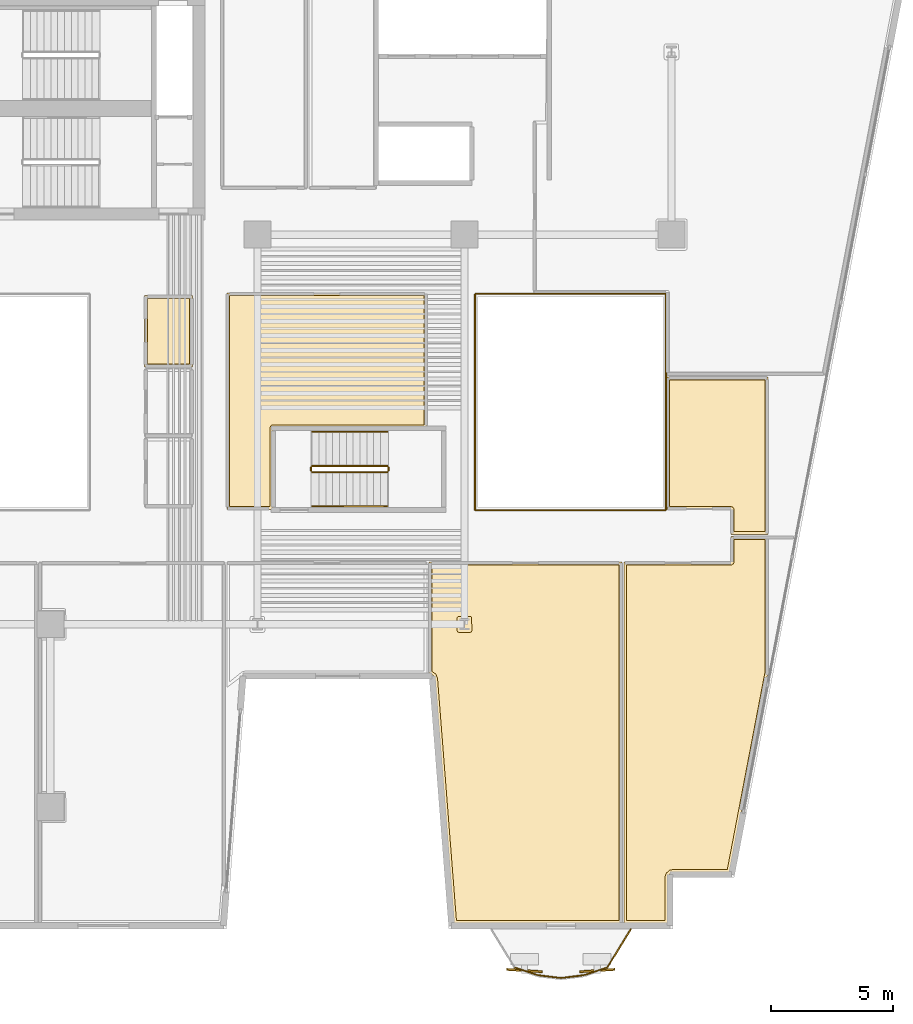
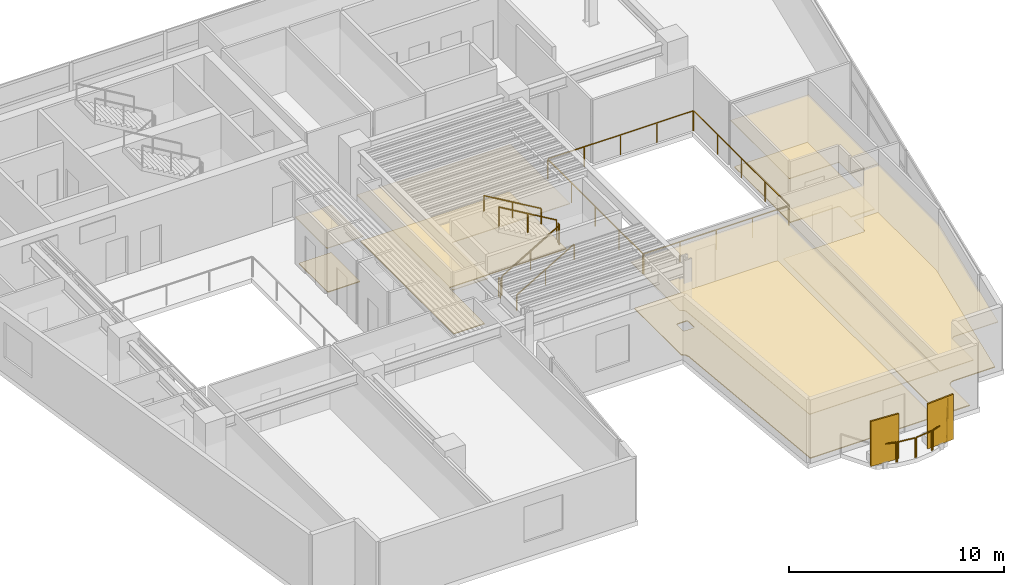
# One storey, part 12 of 14: 15 railings, 10 coverings, 2 shading devices.
"""IFC4 building model written with IfcOpenShell, lengths in metres."""

from ifc_helpers import new_model, si_unit, direction, frame, origin, origin_2d, place, context, subcontext, project, spatial, polyline, rectangle, outline, extrude, material, layer, layer_set, type_object, element, save


model = new_model("IFC4")

# Units and contexts
model_context = context("Model", 3, precision=1e-05, world=origin(), true_north=direction((0.0, 1.0)))
body_context = subcontext(model_context, "Body", "Model", "MODEL_VIEW")
ifc_project = project(units=[si_unit("LENGTHUNIT", "METRE"), si_unit("AREAUNIT", "SQUARE_METRE"), si_unit("VOLUMEUNIT", "CUBIC_METRE"), si_unit("PLANEANGLEUNIT", "RADIAN"), si_unit("MASSUNIT", "GRAM", prefix="KILO")], contexts=[model_context])

# Site, building, storey
site_placement = place(None, origin())
site = spatial("IfcSite", under=ifc_project, at=site_placement, CompositionType="ELEMENT")
building_placement = place(site_placement, origin())
building = spatial("IfcBuilding", under=site, at=building_placement, Name="Caeloran Harvest Quay", CompositionType="ELEMENT")
storey_placement = place(building_placement, frame((0.0, 0.0, 174.60009765625)))
storey = spatial("IfcBuildingStorey", under=building, at=storey_placement, Name="L41", CompositionType="ELEMENT", Elevation=174.60009765625)

# Coverings
ifc_material_1 = material(Name="Perforated Mineral-Fibre Acoustic Ceiling Tile", Category="ceiling")
ifc_layer_1 = layer(ifc_material_1, 0.0400390625, Name="Perforated Mineral-Fibre Acoustic Ceiling Tile")
ifc_layer_set_1 = layer_set([ifc_layer_1], Name="Perforated Mineral-Fibre Acoustic Ceiling Tile")
covering_type_1 = type_object("IfcCoveringType", Name="COV-CEILING-ACOUSTIC", PredefinedType="CEILING", material=ifc_layer_set_1)
covering_1_placement = place(storey_placement, frame((0.0, 0.0, 2.599853515625)))
element("IfcCovering", 1, at=covering_1_placement, inside=storey, type_object=covering_type_1, Name="L41 Male Washroom WC Acoustic Ceiling", PredefinedType="CEILING", context=body_context, shape_type="SweptSolid", body=[
    extrude(outline(polyline([(22.840087890625, 25.56005859375), (20.8701171875, 25.56005859375), (20.8701171875, 28.489990234375), (22.840087890625, 28.489990234375), (22.840087890625, 25.56005859375)])), origin(), (0.0, 0.0, 1.0), 0.0400390625),
])
covering_2_placement = place(storey_placement, frame((0.0, 0.0, 2.599853515625)))
element("IfcCovering", 2, at=covering_2_placement, inside=storey, type_object=covering_type_1, Name="Culinary Product Studio Acoustic Ceiling", PredefinedType="CEILING", context=body_context, shape_type="SweptSolid", body=[
    extrude(outline(polyline([(40.4599609375, 2.719970703125), (33.55859375, 2.719970703125), (32.7744140625, 12.76611328125), (32.759521484375, 12.830810546875), (32.712158203125, 12.90380859375), (32.5400390625, 13.01171875), (32.5400390625, 17.56005859375), (40.4599609375, 17.56005859375), (40.4599609375, 2.719970703125)])), origin(), (0.0, 0.0, 1.0), 0.0400390625),
])
covering_3_placement = place(storey_placement, frame((0.0, 0.0, 2.599853515625)))
element("IfcCovering", 3, at=covering_3_placement, inside=storey, type_object=covering_type_1, Name="Investor Dining Salon Lounge Acoustic Ceiling", PredefinedType="CEILING", context=body_context, shape_type="SweptSolid", body=[
    extrude(outline(polyline([(44.93994140625, 17.56005859375), (44.93994140625, 18.610107421875), (46.4599609375, 18.610107421875), (46.4599609375, 13.0458984375), (44.888916015625, 4.820068359375), (42.571044921875, 4.820068359375), (42.46630859375, 4.7939453125), (42.38720703125, 4.72216796875), (42.35107421875, 4.62158203125), (42.35009765625, 2.719970703125), (40.5400390625, 2.719970703125), (40.5400390625, 17.56005859375), (44.93994140625, 17.56005859375)])), origin(), (0.0, 0.0, 1.0), 0.0400390625),
])
covering_4_placement = place(storey_placement, frame((0.0, 0.0, 2.599853515625)))
element("IfcCovering", 4, at=covering_4_placement, inside=storey, type_object=covering_type_1, Name="Summit Boardroom Acoustic Ceiling", PredefinedType="CEILING", context=body_context, shape_type="SweptSolid", body=[
    extrude(outline(polyline([(44.93994140625, 19.7099609375), (42.2900390625, 19.7099609375), (42.2900390625, 25.159912109375), (46.4599609375, 25.159912109375), (46.4599609375, 18.68994140625), (44.93994140625, 18.68994140625), (44.93994140625, 19.7099609375)])), origin(), (0.0, 0.0, 1.0), 0.0400390625),
])
covering_5_placement = place(storey_placement, frame((0.0, 0.0, 2.599853515625)))
element("IfcCovering", 5, at=covering_5_placement, inside=storey, type_object=covering_type_1, Name="Hospitality Tasting Dining Kitchen 9 Acoustic Ceiling", PredefinedType="CEILING", context=body_context, shape_type="SweptSolid", body=[
    extrude(outline(polyline([(32.4599609375, 28.610107421875), (32.4599609375, 23.06005859375), (26.139892578125, 23.06005859375), (26.139892578125, 19.7099609375), (24.239990234375, 19.7099609375), (24.239990234375, 28.610107421875), (32.4599609375, 28.610107421875)])), origin(), (0.0, 0.0, 1.0), 0.0400390625),
])
ifc_material_2 = material(Name="Calcium-Sulphate Raised Access Floor and Terrazzo Finish", Category="flooring")
ifc_layer_2 = layer(ifc_material_2, 0.050048828125, Name="Calcium-Sulphate Raised Access Floor and Terrazzo Finish")
ifc_layer_set_2 = layer_set([ifc_layer_2], Name="Calcium-Sulphate Raised Access Floor and Terrazzo Finish")
covering_type_2 = type_object("IfcCoveringType", Name="COV-FLOOR-RAISED", PredefinedType="FLOORING", material=ifc_layer_set_2)
covering_6_placement = place(storey_placement, origin())
element("IfcCovering", 6, at=covering_6_placement, inside=storey, type_object=covering_type_2, Name="L41 Male Washroom WC Raised Finish Flooring", PredefinedType="FLOORING", context=body_context, shape_type="SweptSolid", body=[
    extrude(outline(polyline([(22.719970703125, 25.679931640625), (20.989990234375, 25.679931640625), (20.989990234375, 28.3701171875), (22.719970703125, 28.3701171875), (22.719970703125, 25.679931640625)])), origin(), (0.0, 0.0, 1.0), 0.0498046875),
])
covering_7_placement = place(storey_placement, origin())
element("IfcCovering", 7, at=covering_7_placement, inside=storey, type_object=covering_type_2, Name="Culinary Product Studio Raised Finish Flooring", PredefinedType="FLOORING", context=body_context, shape_type="SweptSolid", body=[
    extrude(outline(polyline([(32.659912109375, 13.0732421875), (32.659912109375, 17.43994140625), (40.340087890625, 17.43994140625), (40.340087890625, 2.840087890625), (33.66943359375, 2.840087890625), (32.89404296875, 12.776611328125), (32.82275390625, 12.959228515625), (32.659912109375, 13.0732421875)]), holes=[polyline([(34.306884765625, 14.748046875), (34.288818359375, 15.302734375), (34.23486328125, 15.33154296875), (33.77294921875, 15.33203125), (33.71630859375, 15.30859375), (33.693115234375, 15.251953125), (33.693115234375, 14.748046875), (33.71630859375, 14.69140625), (33.77294921875, 14.66796875), (34.22705078125, 14.66796875), (34.28369140625, 14.69140625), (34.306884765625, 14.748046875)])]), origin(), (0.0, 0.0, 1.0), 0.0498046875),
])
covering_8_placement = place(storey_placement, origin())
element("IfcCovering", 8, at=covering_8_placement, inside=storey, type_object=covering_type_2, Name="Investor Dining Salon Lounge Raised Finish Flooring", PredefinedType="FLOORING", context=body_context, shape_type="SweptSolid", body=[
    extrude(outline(polyline([(44.97802734375, 17.443603515625), (45.037353515625, 17.4833984375), (45.059814453125, 17.543212890625), (45.06005859375, 18.489990234375), (46.340087890625, 18.489990234375), (46.340087890625, 13.05712890625), (44.789794921875, 4.93994140625), (42.570068359375, 4.93994140625), (42.4130859375, 4.901611328125), (42.28515625, 4.78564453125), (42.231201171875, 4.62939453125), (42.22998046875, 2.840087890625), (40.659912109375, 2.840087890625), (40.659912109375, 17.43994140625), (44.97802734375, 17.443603515625)])), origin(), (0.0, 0.0, 1.0), 0.0498046875),
])
covering_9_placement = place(storey_placement, origin())
element("IfcCovering", 9, at=covering_9_placement, inside=storey, type_object=covering_type_2, Name="Summit Boardroom Raised Finish Flooring", PredefinedType="FLOORING", context=body_context, shape_type="SweptSolid", body=[
    extrude(outline(polyline([(45.056396484375, 19.748046875), (45.0166015625, 19.807373046875), (44.953857421875, 19.829833984375), (42.409912109375, 19.830078125), (42.409912109375, 25.0400390625), (46.340087890625, 25.0400390625), (46.340087890625, 18.81005859375), (45.06005859375, 18.81005859375), (45.056396484375, 19.748046875)])), origin(), (0.0, 0.0, 1.0), 0.0498046875),
])
covering_10_placement = place(storey_placement, origin())
element("IfcCovering", 10, at=covering_10_placement, inside=storey, type_object=covering_type_2, Name="Hospitality Tasting Dining Kitchen 9 Raised Finish Flooring", PredefinedType="FLOORING", context=body_context, shape_type="SweptSolid", body=[
    extrude(outline(polyline([(32.340087890625, 28.489990234375), (32.340087890625, 23.179931640625), (26.0693359375, 23.173828125), (26.02001953125, 23.10009765625), (26.02001953125, 19.830078125), (24.360107421875, 19.830078125), (24.360107421875, 28.489990234375), (32.340087890625, 28.489990234375)])), origin(), (0.0, 0.0, 1.0), 0.0498046875),
])

# Railings
ifc_material_3 = material(Name="Powder-Coated Steel Post and Laminated Glass Guardrail", Category="steel")
ifc_layer_3 = layer(ifc_material_3, 0.06005859375, Name="Powder-Coated Steel Post and Laminated Glass Guardrail")
ifc_layer_set_3 = layer_set([ifc_layer_3], Name="Powder-Coated Steel Post and Laminated Glass Guardrail")
railing_type_1 = type_object("IfcRailingType", Name="GUARD-ATRIUM-1150", PredefinedType="GUARDRAIL", material=ifc_layer_set_3)
railing_1_placement = place(storey_placement, frame((34.4619140625, 19.679931640625, 0.0)))
element("IfcRailing", 11, at=railing_1_placement, inside=storey, type_object=railing_type_1, Name="L41 East Botanical Lightwell Guardrail Seg 1", PredefinedType="GUARDRAIL", context=body_context, shape_type="SweptSolid", body=[
    extrude(rectangle(XDim=0.048095703125, YDim=0.048095703125, at=origin_2d()), frame((0.0, 0.0, 1.1259765625), z_axis=(1.0, 0.0, 0.0), x_axis=(0.0, 1.0, 0.0)), (0.0, 0.0, 1.0), 7.776123046875),
    extrude(rectangle(XDim=0.0419921875, YDim=0.0419921875, at=origin_2d()), origin(), (0.0, 0.0, 1.0), 1.101806640625),
    extrude(rectangle(XDim=0.0419921875, YDim=0.0419921875, at=origin_2d()), frame((1.944091796875, 0.0, 0.0)), (0.0, 0.0, 1.0), 1.101806640625),
    extrude(rectangle(XDim=0.0419921875, YDim=0.0419921875, at=origin_2d()), frame((3.88818359375, 0.0, 0.0)), (0.0, 0.0, 1.0), 1.101806640625),
    extrude(rectangle(XDim=0.0419921875, YDim=0.0419921875, at=origin_2d()), frame((5.83203125, 0.0, 0.0)), (0.0, 0.0, 1.0), 1.101806640625),
    extrude(rectangle(XDim=0.0419921875, YDim=0.0419921875, at=origin_2d()), frame((7.776123046875, 0.0, 0.0)), (0.0, 0.0, 1.0), 1.101806640625),
])
railing_2_placement = place(storey_placement, frame((42.27001953125, 19.7119140625, 0.0)))
element("IfcRailing", 12, at=railing_2_placement, inside=storey, type_object=railing_type_1, Name="L41 East Botanical Lightwell Guardrail Seg 2", PredefinedType="GUARDRAIL", context=body_context, shape_type="SweptSolid", body=[
    extrude(rectangle(XDim=0.048095703125, YDim=0.048095703125, at=origin_2d()), frame((0.0, 0.0, 1.1259765625), z_axis=(0.0, 1.0, 0.0), x_axis=(-1.0, 0.0, 0.0)), (0.0, 0.0, 1.0), 8.826171875),
    extrude(rectangle(XDim=0.0419921875, YDim=0.0419921875, at=origin_2d()), origin(), (0.0, 0.0, 1.0), 1.101806640625),
    extrude(rectangle(XDim=0.0419921875, YDim=0.0419921875, at=origin_2d()), frame((0.0, 2.20654296875, 0.0)), (0.0, 0.0, 1.0), 1.101806640625),
    extrude(rectangle(XDim=0.0419921875, YDim=0.0419921875, at=origin_2d()), frame((0.0, 4.4130859375, 0.0)), (0.0, 0.0, 1.0), 1.101806640625),
    extrude(rectangle(XDim=0.0419921875, YDim=0.0419921875, at=origin_2d()), frame((0.0, 6.61962890625, 0.0)), (0.0, 0.0, 1.0), 1.101806640625),
    extrude(rectangle(XDim=0.0419921875, YDim=0.0419921875, at=origin_2d()), frame((0.0, 8.826171875, 0.0)), (0.0, 0.0, 1.0), 1.101806640625),
])
railing_3_placement = place(storey_placement, frame((42.238037109375, 28.570068359375, 0.0)))
element("IfcRailing", 13, at=railing_3_placement, inside=storey, type_object=railing_type_1, Name="L41 East Botanical Lightwell Guardrail Seg 3", PredefinedType="GUARDRAIL", context=body_context, shape_type="SweptSolid", body=[
    extrude(rectangle(XDim=0.048095703125, YDim=0.048095703125, at=origin_2d()), frame((0.0, 0.0, 1.1259765625), z_axis=(-1.0, 0.0, 0.0), x_axis=(0.0, -1.0, 0.0)), (0.0, 0.0, 1.0), 7.776123046875),
    extrude(rectangle(XDim=0.0419921875, YDim=0.0419921875, at=origin_2d()), origin(), (0.0, 0.0, 1.0), 1.101806640625),
    extrude(rectangle(XDim=0.0419921875, YDim=0.0419921875, at=origin_2d()), frame((-1.944091796875, 0.0, 0.0)), (0.0, 0.0, 1.0), 1.101806640625),
    extrude(rectangle(XDim=0.0419921875, YDim=0.0419921875, at=origin_2d()), frame((-3.88818359375, 0.0, 0.0)), (0.0, 0.0, 1.0), 1.101806640625),
    extrude(rectangle(XDim=0.0419921875, YDim=0.0419921875, at=origin_2d()), frame((-5.83203125, 0.0, 0.0)), (0.0, 0.0, 1.0), 1.101806640625),
    extrude(rectangle(XDim=0.0419921875, YDim=0.0419921875, at=origin_2d()), frame((-7.776123046875, 0.0, 0.0)), (0.0, 0.0, 1.0), 1.101806640625),
])
railing_4_placement = place(storey_placement, frame((34.429931640625, 28.5380859375, 0.0)))
element("IfcRailing", 14, at=railing_4_placement, inside=storey, type_object=railing_type_1, Name="L41 East Botanical Lightwell Guardrail Seg 4", PredefinedType="GUARDRAIL", context=body_context, shape_type="SweptSolid", body=[
    extrude(rectangle(XDim=0.048095703125, YDim=0.048095703125, at=origin_2d()), frame((0.0, 0.0, 1.1259765625), z_axis=(0.0, -1.0, 0.0), x_axis=(1.0, 0.0, 0.0)), (0.0, 0.0, 1.0), 8.826171875),
    extrude(rectangle(XDim=0.0419921875, YDim=0.0419921875, at=origin_2d()), origin(), (0.0, 0.0, 1.0), 1.101806640625),
    extrude(rectangle(XDim=0.0419921875, YDim=0.0419921875, at=origin_2d()), frame((0.0, -2.20654296875, 0.0)), (0.0, 0.0, 1.0), 1.101806640625),
    extrude(rectangle(XDim=0.0419921875, YDim=0.0419921875, at=origin_2d()), frame((0.0, -4.4130859375, 0.0)), (0.0, 0.0, 1.0), 1.101806640625),
    extrude(rectangle(XDim=0.0419921875, YDim=0.0419921875, at=origin_2d()), frame((0.0, -6.61962890625, 0.0)), (0.0, 0.0, 1.0), 1.101806640625),
    extrude(rectangle(XDim=0.0419921875, YDim=0.0419921875, at=origin_2d()), frame((0.0, -8.826171875, 0.0)), (0.0, 0.0, 1.0), 1.101806640625),
])
ifc_material_4 = material(Name="Laminated Safety Glass and Stainless Steel 316", Category="steel")
ifc_layer_4 = layer(ifc_material_4, 0.06005859375, Name="Laminated Safety Glass and Stainless Steel 316")
ifc_layer_set_4 = layer_set([ifc_layer_4], Name="Laminated Safety Glass and Stainless Steel 316")
railing_type_2 = type_object("IfcRailingType", Name="GUARD-BALUSTRADE-1150", PredefinedType="BALUSTRADE", material=ifc_layer_set_4)
railing_5_placement = place(storey_placement, frame((40.825927734375, 2.47998046875, 0.0)))
element("IfcRailing", 15, at=railing_5_placement, inside=storey, type_object=railing_type_2, Name="L41 Planted Balcony Perimeter Balustrade Guard Seg 1", PredefinedType="BALUSTRADE", context=body_context, shape_type="SweptSolid", body=[
    extrude(rectangle(XDim=0.048095703125, YDim=0.048095703125, at=origin_2d()), frame((0.0, 0.0, 1.1259765625), z_axis=(-0.522460171992, -0.852663690257, 0.0), x_axis=(0.852663690257, -0.522460171992, 0.0)), (0.0, 0.0, 1.0), 1.798095703125),
    extrude(rectangle(XDim=0.0419921875, YDim=0.0419921875, at=origin_2d()), origin(), (0.0, 0.0, 1.0), 1.101806640625),
    extrude(rectangle(XDim=0.0419921875, YDim=0.0419921875, at=origin_2d()), frame((-0.939453125, -1.533203125, 0.0)), (0.0, 0.0, 1.0), 1.101806640625),
])
railing_6_placement = place(storey_placement, frame((39.839599609375, 0.9091796875, 0.0)))
element("IfcRailing", 16, at=railing_6_placement, inside=storey, type_object=railing_type_2, Name="L41 Planted Balcony Perimeter Balustrade Guard Seg 2", PredefinedType="BALUSTRADE", context=body_context, shape_type="SweptSolid", body=[
    extrude(rectangle(XDim=0.048095703125, YDim=0.048095703125, at=origin_2d()), frame((0.0, 0.0, 1.1259765625), z_axis=(-0.947644813733, -0.31932633309, 0.0), x_axis=(0.31932633309, -0.947644813733, 0.0)), (0.0, 0.0, 1.0), 0.945068359375),
    extrude(rectangle(XDim=0.0419921875, YDim=0.0419921875, at=origin_2d()), origin(), (0.0, 0.0, 1.0), 1.101806640625),
    extrude(rectangle(XDim=0.0419921875, YDim=0.0419921875, at=origin_2d()), frame((-0.8955078125, -0.3017578125, 0.0)), (0.0, 0.0, 1.0), 1.101806640625),
])
railing_7_placement = place(storey_placement, frame((38.8818359375, 0.59326171875, 0.0)))
element("IfcRailing", 17, at=railing_7_placement, inside=storey, type_object=railing_type_2, Name="L41 Planted Balcony Perimeter Balustrade Guard Seg 3", PredefinedType="BALUSTRADE", context=body_context, shape_type="SweptSolid", body=[
    extrude(rectangle(XDim=0.048095703125, YDim=0.048095703125, at=origin_2d()), frame((0.0, 0.0, 1.1259765625), z_axis=(-0.992444026778, -0.122698222129, 0.0), x_axis=(0.122698222129, -0.992444026778, 0.0)), (0.0, 0.0, 1.0), 0.8994140625),
    extrude(rectangle(XDim=0.0419921875, YDim=0.0419921875, at=origin_2d()), origin(), (0.0, 0.0, 1.0), 1.101806640625),
    extrude(rectangle(XDim=0.0419921875, YDim=0.0419921875, at=origin_2d()), frame((-0.892578125, -0.1103515625, 0.0)), (0.0, 0.0, 1.0), 1.101806640625),
])
railing_8_placement = place(storey_placement, frame((37.92578125, 0.48291015625, 0.0)))
element("IfcRailing", 18, at=railing_8_placement, inside=storey, type_object=railing_type_2, Name="L41 Planted Balcony Perimeter Balustrade Guard Seg 4", PredefinedType="BALUSTRADE", context=body_context, shape_type="SweptSolid", body=[
    extrude(rectangle(XDim=0.048095703125, YDim=0.048095703125, at=origin_2d()), frame((0.0, 0.0, 1.1259765625), z_axis=(-0.992444026778, 0.122698222129, 0.0), x_axis=(-0.122698222129, -0.992444026778, 0.0)), (0.0, 0.0, 1.0), 0.8994140625),
    extrude(rectangle(XDim=0.0419921875, YDim=0.0419921875, at=origin_2d()), origin(), (0.0, 0.0, 1.0), 1.101806640625),
    extrude(rectangle(XDim=0.0419921875, YDim=0.0419921875, at=origin_2d()), frame((-0.892578125, 0.1103515625, 0.0)), (0.0, 0.0, 1.0), 1.101806640625),
])
railing_9_placement = place(storey_placement, frame((36.970947265625, 0.607421875, 0.0)))
element("IfcRailing", 19, at=railing_9_placement, inside=storey, type_object=railing_type_2, Name="L41 Planted Balcony Perimeter Balustrade Guard Seg 5", PredefinedType="BALUSTRADE", context=body_context, shape_type="SweptSolid", body=[
    extrude(rectangle(XDim=0.048095703125, YDim=0.048095703125, at=origin_2d()), frame((0.0, 0.0, 1.1259765625), z_axis=(-0.947644813733, 0.31932633309, 0.0), x_axis=(-0.31932633309, -0.947644813733, 0.0)), (0.0, 0.0, 1.0), 0.945068359375),
    extrude(rectangle(XDim=0.0419921875, YDim=0.0419921875, at=origin_2d()), origin(), (0.0, 0.0, 1.0), 1.101806640625),
    extrude(rectangle(XDim=0.0419921875, YDim=0.0419921875, at=origin_2d()), frame((-0.8955078125, 0.3017578125, 0.0)), (0.0, 0.0, 1.0), 1.101806640625),
])

# Shading devices
ifc_material_5 = material(Name="3003-H14 Perforated Powder-Coated Aluminium", Category="aluminium")
shading_device_type = type_object("IfcShadingDeviceType", Name="SHADE-SCREEN-FOLDED", PredefinedType="USERDEFINED", material=ifc_material_5)
for number, where, z_axis, x_axis, name in (
    (20, (39.44921875, 0.78515625, 0.07470703125), (0.0, 0.0, 1.0), (0.997801468292, 0.0662739004, 0.0), "L41 Folded Facade Breathing Screen 1"),
    (21, (36.4658203125, 0.78515625, 0.07470703125), (0.0, 0.0, 1.0), (0.997801468292, -0.0662739004, 0.0), "L41 Folded Facade Breathing Screen 2"),
):
    element("IfcShadingDevice", number, at=place(storey_placement, frame(where, z_axis=z_axis, x_axis=x_axis)), inside=storey, type_object=shading_device_type, Name=name, ObjectType="SCREEN", PredefinedType="USERDEFINED", context=body_context, shape_type="SweptSolid", body=[
        extrude(rectangle(XDim=1.449951171875, YDim=0.080078125, at=origin_2d()), origin(), (0.0, 0.0, 1.0), 2.550048828125),
    ])

# Railings
ifc_material_6 = material(Name="Painted Steel Baluster and Top-Rail Stair Guard", Category="steel")
ifc_layer_5 = layer(ifc_material_6, 0.050048828125, Name="Painted Steel Baluster and Top-Rail Stair Guard")
ifc_layer_set_5 = layer_set([ifc_layer_5], Name="Painted Steel Baluster and Top-Rail Stair Guard")
railing_type_3 = type_object("IfcRailingType", Name="STAIR-GUARD-1100", PredefinedType="GUARDRAIL", material=ifc_layer_set_5)
railing_10_placement = place(storey_placement, frame((27.75, 21.25, 0.16455078125)))
element("IfcRailing", 22, at=railing_10_placement, inside=storey, type_object=railing_type_3, Name="L41 ST-W1 stair guard 1", PredefinedType="GUARDRAIL", context=body_context, shape_type="SweptSolid", body=[
    extrude(rectangle(XDim=0.048095703125, YDim=0.048095703125, at=origin_2d()), frame((0.0, 0.0, 1.076171875), z_axis=(0.862118610829, 0.0, 0.506706523406), x_axis=(0.0, 1.0, 0.0)), (0.0, 0.0, 1.0), 3.57275390625),
    extrude(rectangle(XDim=0.0419921875, YDim=0.0419921875, at=origin_2d()), origin(), (0.0, 0.0, 1.0), 1.052001953125),
    extrude(rectangle(XDim=0.0419921875, YDim=0.0419921875, at=origin_2d()), frame((1.5400390625, 0.0, 0.9052734375)), (0.0, 0.0, 1.0), 1.052001953125),
    extrude(rectangle(XDim=0.0419921875, YDim=0.0419921875, at=origin_2d()), frame((3.080078125, 0.0, 1.810302734375)), (0.0, 0.0, 1.0), 1.052001953125),
])
railing_11_placement = place(storey_placement, frame((30.8798828125, 21.300048828125, 1.974853515625)))
element("IfcRailing", 23, at=railing_11_placement, inside=storey, type_object=railing_type_3, Name="L41 ST-W1 stair guard 2", PredefinedType="GUARDRAIL", context=body_context, shape_type="SweptSolid", body=[
    extrude(rectangle(XDim=0.048095703125, YDim=0.048095703125, at=origin_2d()), frame((0.0, 0.0, 1.076171875), z_axis=(0.0, 1.0, 0.0), x_axis=(-1.0, 0.0, 0.0)), (0.0, 0.0, 1.0), 0.14990234375),
    extrude(rectangle(XDim=0.0419921875, YDim=0.0419921875, at=origin_2d()), origin(), (0.0, 0.0, 1.0), 1.052001953125),
    extrude(rectangle(XDim=0.0419921875, YDim=0.0419921875, at=origin_2d()), frame((0.0, 0.14990234375, 0.0)), (0.0, 0.0, 1.0), 1.052001953125),
])
railing_12_placement = place(storey_placement, frame((30.830078125, 21.5, 2.139404296875)))
element("IfcRailing", 24, at=railing_12_placement, inside=storey, type_object=railing_type_3, Name="L41 ST-W1 stair guard 3", PredefinedType="GUARDRAIL", context=body_context, shape_type="SweptSolid", body=[
    extrude(rectangle(XDim=0.048095703125, YDim=0.048095703125, at=origin_2d()), frame((0.0, 0.0, 1.076171875), z_axis=(-0.862088758681, 0.0, 0.506757310905), x_axis=(0.0, -1.0, 0.0)), (0.0, 0.0, 1.0), 3.57275390625),
    extrude(rectangle(XDim=0.0419921875, YDim=0.0419921875, at=origin_2d()), origin(), (0.0, 0.0, 1.0), 1.052001953125),
    extrude(rectangle(XDim=0.0419921875, YDim=0.0419921875, at=origin_2d()), frame((-1.5400390625, 0.0, 0.9052734375)), (0.0, 0.0, 1.0), 1.052001953125),
    extrude(rectangle(XDim=0.0419921875, YDim=0.0419921875, at=origin_2d()), frame((-3.080078125, 0.0, 1.810546875)), (0.0, 0.0, 1.0), 1.052001953125),
])
railing_13_placement = place(storey_placement, frame((27.699951171875, 21.300048828125, 0.0)))
element("IfcRailing", 25, at=railing_13_placement, inside=storey, type_object=railing_type_3, Name="L41 ST-W1 stair guard 4", PredefinedType="GUARDRAIL", context=body_context, shape_type="SweptSolid", body=[
    extrude(rectangle(XDim=0.048095703125, YDim=0.048095703125, at=origin_2d()), frame((0.0, 0.0, 1.076171875), z_axis=(0.0, 1.0, 0.0), x_axis=(-1.0, 0.0, 0.0)), (0.0, 0.0, 1.0), 0.14990234375),
    extrude(rectangle(XDim=0.0419921875, YDim=0.0419921875, at=origin_2d()), origin(), (0.0, 0.0, 1.0), 1.052001953125),
    extrude(rectangle(XDim=0.0419921875, YDim=0.0419921875, at=origin_2d()), frame((0.0, 0.14990234375, 0.0)), (0.0, 0.0, 1.0), 1.052001953125),
])
ifc_material_7 = material(Name="Brushed Stainless Steel Grade 304", Category="steel")
ifc_layer_6 = layer(ifc_material_7, 0.050048828125, Name="Brushed Stainless Steel Grade 304")
ifc_layer_set_6 = layer_set([ifc_layer_6], Name="Brushed Stainless Steel Grade 304")
railing_type_4 = type_object("IfcRailingType", Name="STAIR-HANDRAIL-900", PredefinedType="HANDRAIL", material=ifc_layer_set_6)
railing_14_placement = place(storey_placement, frame((27.75, 19.85009765625, 0.16455078125)))
element("IfcRailing", 26, at=railing_14_placement, inside=storey, type_object=railing_type_4, Name="L41 ST-W1 stair handrail 1", PredefinedType="HANDRAIL", context=body_context, shape_type="SweptSolid", body=[
    extrude(rectangle(XDim=0.048095703125, YDim=0.048095703125, at=origin_2d()), frame((0.0, 0.0, 0.8759765625), z_axis=(0.862118610829, 0.0, 0.506706523406), x_axis=(0.0, 1.0, 0.0)), (0.0, 0.0, 1.0), 3.57275390625),
    extrude(rectangle(XDim=0.0419921875, YDim=0.0419921875, at=origin_2d()), origin(), (0.0, 0.0, 1.0), 0.851806640625),
    extrude(rectangle(XDim=0.0419921875, YDim=0.0419921875, at=origin_2d()), frame((1.5400390625, 0.0, 0.9052734375)), (0.0, 0.0, 1.0), 0.851806640625),
    extrude(rectangle(XDim=0.0419921875, YDim=0.0419921875, at=origin_2d()), frame((3.080078125, 0.0, 1.810302734375)), (0.0, 0.0, 1.0), 0.851806640625),
])
railing_15_placement = place(storey_placement, frame((30.830078125, 22.89990234375, 2.139404296875)))
element("IfcRailing", 27, at=railing_15_placement, inside=storey, type_object=railing_type_4, Name="L41 ST-W1 stair handrail 2", PredefinedType="HANDRAIL", context=body_context, shape_type="SweptSolid", body=[
    extrude(rectangle(XDim=0.048095703125, YDim=0.048095703125, at=origin_2d()), frame((0.0, 0.0, 0.8759765625), z_axis=(-0.862088758681, 0.0, 0.506757310905), x_axis=(0.0, -1.0, 0.0)), (0.0, 0.0, 1.0), 3.57275390625),
    extrude(rectangle(XDim=0.0419921875, YDim=0.0419921875, at=origin_2d()), origin(), (0.0, 0.0, 1.0), 0.851806640625),
    extrude(rectangle(XDim=0.0419921875, YDim=0.0419921875, at=origin_2d()), frame((-1.5400390625, 0.0, 0.9052734375)), (0.0, 0.0, 1.0), 0.851806640625),
    extrude(rectangle(XDim=0.0419921875, YDim=0.0419921875, at=origin_2d()), frame((-3.080078125, 0.0, 1.810546875)), (0.0, 0.0, 1.0), 0.851806640625),
])

save(model, "model.ifc")
